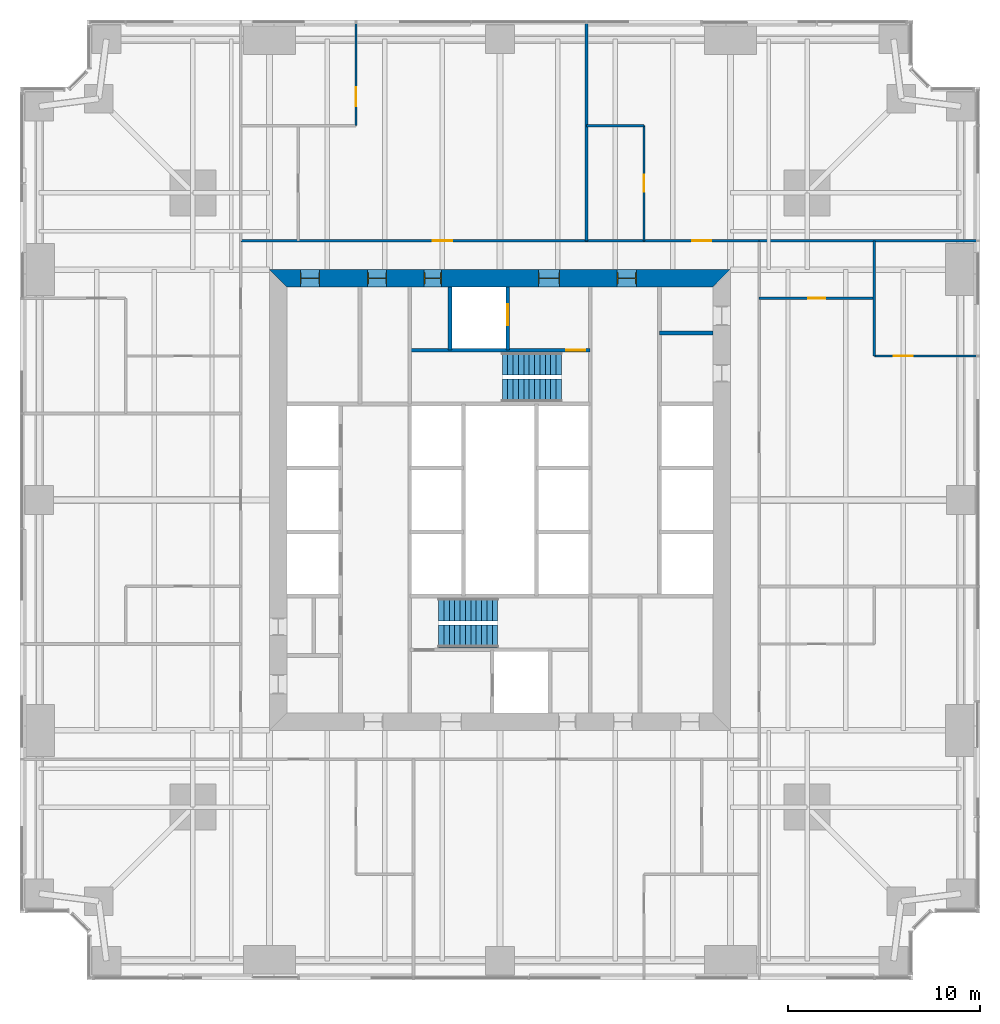
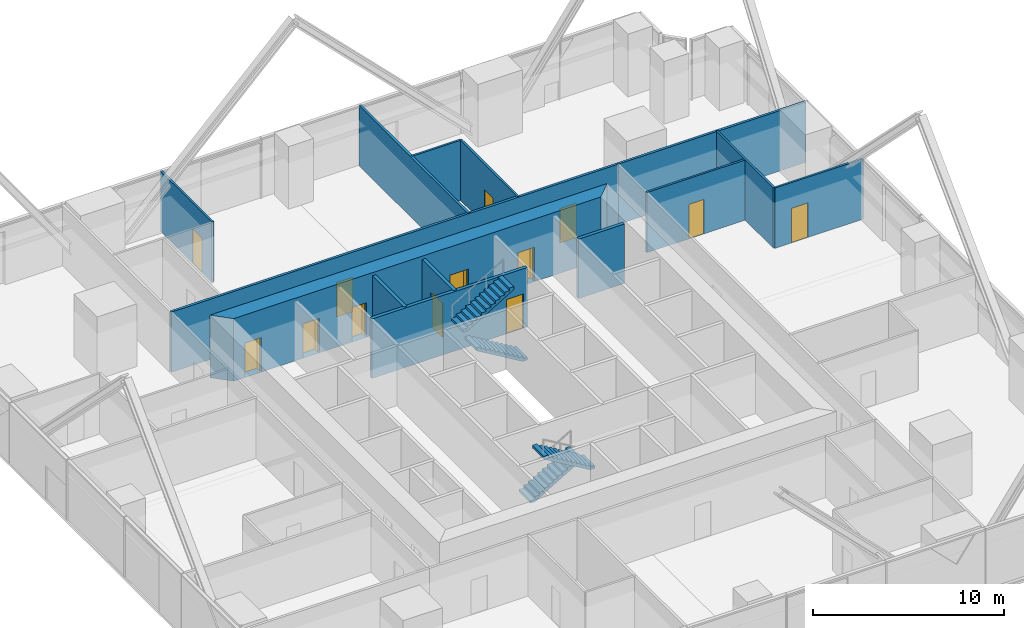
# One storey, part 11 of 13: 14 walls, 13 doors, 4 stair flights, 13 openings, 2 elements without a shape of their own.
"""IFC4 building model written with IfcOpenShell, lengths in metres."""

from ifc_helpers import new_model, si_unit, direction, frame, frame_2d, origin, place, context, subcontext, project, spatial, polyline, rectangle, outline, extrude, material, layer, layer_set, type_object, element, fill, aggregate, save


model = new_model("IFC4")

# Units and contexts
model_context = context("Model", 3, precision=1e-05, world=origin(), true_north=direction((0.0, 1.0)))
body_context = subcontext(model_context, "Body", "Model", "MODEL_VIEW")
ifc_project = project(units=[si_unit("LENGTHUNIT", "METRE"), si_unit("AREAUNIT", "SQUARE_METRE"), si_unit("VOLUMEUNIT", "CUBIC_METRE"), si_unit("PLANEANGLEUNIT", "RADIAN"), si_unit("MASSUNIT", "GRAM", prefix="KILO")], contexts=[model_context])

# Site, building, storey
site_placement = place(None, origin())
site = spatial("IfcSite", under=ifc_project, at=site_placement, CompositionType="ELEMENT")
building_placement = place(site_placement, origin())
building = spatial("IfcBuilding", under=site, at=building_placement, Name="Fenwick Lantern Interchange", CompositionType="ELEMENT")
storey_placement = place(building_placement, frame((0.0, 0.0, 55.0)))
storey = spatial("IfcBuildingStorey", under=building, at=storey_placement, Name="L12", CompositionType="ELEMENT", Elevation=55.0)

# Wall, opening, door
ifc_material_1 = material(Name="Concrete masonry ASTM C90 Grade N", Category="masonry")
ifc_layer_1 = layer(ifc_material_1, 0.199951171875)
ifc_layer_set_1 = layer_set([ifc_layer_1], Name="Concrete masonry ASTM C90 Grade N")
wall_type_1 = type_object("IfcWallType", Name="CORE PARTITION 200", PredefinedType="PARTITIONING", material=ifc_layer_set_1)
wall_1_placement = place(storey_placement, frame((25.39990234375, 36.10009765625, 0.0), z_axis=(0.0, 0.0, 1.0), x_axis=(0.0, -1.0, 0.0)))
wall_1 = element("IfcWall", 1, at=wall_1_placement, inside=storey, type_object=wall_type_1, Name="L12/W/COREN/h1", PredefinedType="PARTITIONING", context=body_context, shape_type="SweptSolid", body=[
    extrude(rectangle(XDim=3.300048828125, YDim=0.199951171875, at=frame_2d((1.64990234375, 0.0))), origin(), (0.0, 0.0, 1.0), 3.800048828125),
])
opening_1_placement = place(wall_1_placement, frame((0.89990234375, 0.0, 0.0)))
opening_1 = element("IfcOpeningElement", 2, at=opening_1_placement, cuts=wall_1, Name="Opening LD-FL2", PredefinedType="OPENING", context=body_context, shape_type="SweptSolid", body=[
    extrude(rectangle(XDim=1.10009765625, YDim=2.199951171875, at=frame_2d((0.550048828125, 1.10009765625))), frame((0.0, 0.10986328125, 0.0), z_axis=(0.0, -1.0, 0.0), x_axis=(1.0, 0.0, 0.0)), (0.0, 0.0, 1.0), 0.219970703125),
])
ifc_material_2 = material(Name="Steel door and frame", Category="steel")
door_type_1 = type_object("IfcDoorType", Name="LIFT LANDING DOOR 1100 X 2200", OperationType="DOUBLE_DOOR_SLIDING", PredefinedType="DOOR", material=ifc_material_2)
door_1_placement = place(opening_1_placement, origin())
door_1 = element("IfcDoor", 3, at=door_1_placement, inside=storey, type_object=door_type_1, Name="Lift landing door FL2", OperationType="DOUBLE_DOOR_SLIDING", OverallHeight=2.199951171875, OverallWidth=1.10009765625, PredefinedType="DOOR", context=body_context, shape_type="SweptSolid", body=[
    extrude(rectangle(XDim=1.10009765625, YDim=2.199951171875, at=frame_2d((0.550048828125, 1.10009765625))), frame((0.0, 0.02490234375, 0.0), z_axis=(0.0, -1.0, 0.0), x_axis=(1.0, 0.0, 0.0)), (0.0, 0.0, 1.0), 0.050048828125),
])
fill(opening_1, door_1)

# Walls
wall_2_placement = place(storey_placement, frame((22.39990234375, 36.10009765625, 0.0), z_axis=(0.0, 0.0, 1.0), x_axis=(0.0, -1.0, 0.0)))
element("IfcWall", 4, at=wall_2_placement, inside=storey, type_object=wall_type_1, Name="L12/W/COREN/h2", PredefinedType="PARTITIONING", context=body_context, shape_type="SweptSolid", body=[
    extrude(rectangle(XDim=3.300048828125, YDim=0.199951171875, at=frame_2d((1.64990234375, 0.0))), origin(), (0.0, 0.0, 1.0), 3.800048828125),
])
wall_3_placement = place(storey_placement, frame((36.10009765625, 33.699951171875, 0.0), z_axis=(0.0, 0.0, 1.0), x_axis=(-1.0, 0.0, 0.0)))
element("IfcWall", 5, at=wall_3_placement, inside=storey, type_object=wall_type_1, Name="L12/W/COREN/p1", PredefinedType="PARTITIONING", context=body_context, shape_type="SweptSolid", body=[
    extrude(rectangle(XDim=2.800048828125, YDim=0.199951171875, at=frame_2d((1.39990234375, 0.0))), origin(), (0.0, 0.0, 1.0), 3.800048828125),
])

# Wall, openings, doors
ifc_material_3 = material(Name="Concrete f'c 70 MPa", Category="concrete")
ifc_layer_2 = layer(ifc_material_3, 0.89990234375)
ifc_layer_set_2 = layer_set([ifc_layer_2], Name="CORE WALL 900")
wall_type_2 = type_object("IfcWallType", Name="CORE WALL 900", PredefinedType="SHEAR", material=ifc_layer_set_2)
wall_4_placement = place(storey_placement, frame((37.0, 36.550048828125, 0.0), z_axis=(0.0, 0.0, 1.0), x_axis=(-1.0, 0.0, 0.0)))
wall_4 = element("IfcWall", 6, at=wall_4_placement, inside=storey, type_object=wall_type_2, Name="L12/CORE/N", PredefinedType="SHEAR", context=body_context, shape_type="SweptSolid", body=[
    extrude(outline(polyline([(0.0, -0.449951171875), (24.0, -0.449951171875), (23.10009765625, 0.449951171875), (0.89990234375, 0.449951171875), (0.0, -0.449951171875)])), origin(), (0.0, 0.0, 1.0), 4.0),
])
opening_2_placement = place(wall_4_placement, frame((4.89990234375, 0.0, 0.0)))
opening_2 = element("IfcOpeningElement", 7, at=opening_2_placement, cuts=wall_4, Name="Opening L12-D010", PredefinedType="OPENING", context=body_context, shape_type="SweptSolid", body=[
    extrude(rectangle(XDim=1.0, YDim=2.199951171875, at=frame_2d((0.5, 1.10009765625))), frame((0.0, 0.4599609375, 0.0), z_axis=(0.0, -1.0, 0.0), x_axis=(1.0, 0.0, 0.0)), (0.0, 0.0, 1.0), 0.919921875),
])
opening_3_placement = place(wall_4_placement, frame((8.89990234375, 0.0, 0.0)))
opening_3 = element("IfcOpeningElement", 8, at=opening_3_placement, cuts=wall_4, Name="Opening L12-D011", PredefinedType="OPENING", context=body_context, shape_type="SweptSolid", body=[
    extrude(rectangle(XDim=1.10009765625, YDim=2.199951171875, at=frame_2d((0.550048828125, 1.10009765625))), frame((0.0, 0.4599609375, 0.0), z_axis=(0.0, -1.0, 0.0), x_axis=(1.0, 0.0, 0.0)), (0.0, 0.0, 1.0), 0.919921875),
])
opening_4_placement = place(wall_4_placement, frame((15.050048828125, 0.0, 0.0)))
opening_4 = element("IfcOpeningElement", 9, at=opening_4_placement, cuts=wall_4, Name="Opening L12-D013", PredefinedType="OPENING", context=body_context, shape_type="SweptSolid", body=[
    extrude(rectangle(XDim=0.89990234375, YDim=2.199951171875, at=frame_2d((0.449951171875, 1.10009765625))), frame((0.0, 0.4599609375, 0.0), z_axis=(0.0, -1.0, 0.0), x_axis=(1.0, 0.0, 0.0)), (0.0, 0.0, 1.0), 0.919921875),
])
opening_5_placement = place(wall_4_placement, frame((17.89990234375, 0.0, 0.0)))
opening_5 = element("IfcOpeningElement", 10, at=opening_5_placement, cuts=wall_4, Name="Opening L12-D014", PredefinedType="OPENING", context=body_context, shape_type="SweptSolid", body=[
    extrude(rectangle(XDim=1.0, YDim=2.199951171875, at=frame_2d((0.5, 1.10009765625))), frame((0.0, 0.4599609375, 0.0), z_axis=(0.0, -1.0, 0.0), x_axis=(1.0, 0.0, 0.0)), (0.0, 0.0, 1.0), 0.919921875),
])
opening_6_placement = place(wall_4_placement, frame((21.39990234375, 0.0, 0.0)))
opening_6 = element("IfcOpeningElement", 11, at=opening_6_placement, cuts=wall_4, Name="Opening L12-D015", PredefinedType="OPENING", context=body_context, shape_type="SweptSolid", body=[
    extrude(rectangle(XDim=1.0, YDim=2.199951171875, at=frame_2d((0.5, 1.10009765625))), frame((0.0, 0.4599609375, 0.0), z_axis=(0.0, -1.0, 0.0), x_axis=(1.0, 0.0, 0.0)), (0.0, 0.0, 1.0), 0.919921875),
])
door_type_2 = type_object("IfcDoorType", Name="CORE LOBBY DOOR 1000 X 2200", OperationType="SINGLE_SWING_LEFT", PredefinedType="DOOR", material=ifc_material_2)
door_2_placement = place(opening_2_placement, origin())
door_2 = element("IfcDoor", 12, at=door_2_placement, inside=storey, type_object=door_type_2, Name="Core lobby door", OperationType="SINGLE_SWING_LEFT", OverallHeight=2.199951171875, OverallWidth=1.0, PredefinedType="DOOR", context=body_context, shape_type="SweptSolid", body=[
    extrude(rectangle(XDim=1.0, YDim=2.199951171875, at=frame_2d((0.5, 1.10009765625))), frame((0.0, 0.02490234375, 0.0), z_axis=(0.0, -1.0, 0.0), x_axis=(1.0, 0.0, 0.0)), (0.0, 0.0, 1.0), 0.050048828125),
    extrude(outline(polyline([(0.0, 0.0), (0.0400390625, 0.0), (0.0400390625, 2.159912109375), (0.9599609375, 2.159912109375), (0.9599609375, 0.0), (1.0, 0.0), (1.0, 2.199951171875), (0.0, 2.199951171875), (0.0, 0.0)])), frame((0.0, 0.300048828125, 0.0), z_axis=(0.0, -1.0, 0.0), x_axis=(1.0, 0.0, 0.0)), (0.0, 0.0, 1.0), 0.60009765625),
])
fill(opening_2, door_2)
door_type_3 = type_object("IfcDoorType", Name="FIRE LOBBY DOOR 1100 X 2200", OperationType="SINGLE_SWING_LEFT", PredefinedType="DOOR", material=ifc_material_2)
door_3_placement = place(opening_3_placement, origin())
door_3 = element("IfcDoor", 13, at=door_3_placement, inside=storey, type_object=door_type_3, Name="Fire lobby door", OperationType="SINGLE_SWING_LEFT", OverallHeight=2.199951171875, OverallWidth=1.10009765625, PredefinedType="DOOR", context=body_context, shape_type="SweptSolid", body=[
    extrude(rectangle(XDim=1.10009765625, YDim=2.199951171875, at=frame_2d((0.550048828125, 1.10009765625))), frame((0.0, 0.02490234375, 0.0), z_axis=(0.0, -1.0, 0.0), x_axis=(1.0, 0.0, 0.0)), (0.0, 0.0, 1.0), 0.050048828125),
    extrude(outline(polyline([(0.0, 0.0), (0.0400390625, 0.0), (0.0400390625, 2.159912109375), (1.06005859375, 2.159912109375), (1.06005859375, 0.0), (1.10009765625, 0.0), (1.10009765625, 2.199951171875), (0.0, 2.199951171875), (0.0, 0.0)])), frame((0.0, 0.300048828125, 0.0), z_axis=(0.0, -1.0, 0.0), x_axis=(1.0, 0.0, 0.0)), (0.0, 0.0, 1.0), 0.60009765625),
])
fill(opening_3, door_3)
door_type_4 = type_object("IfcDoorType", Name="SERVICE DOOR 900 X 2200", OperationType="SINGLE_SWING_LEFT", PredefinedType="DOOR", material=ifc_material_2)
door_4_placement = place(opening_4_placement, origin())
door_4 = element("IfcDoor", 14, at=door_4_placement, inside=storey, type_object=door_type_4, Name="Service door", OperationType="SINGLE_SWING_LEFT", OverallHeight=2.199951171875, OverallWidth=0.89990234375, PredefinedType="DOOR", context=body_context, shape_type="SweptSolid", body=[
    extrude(rectangle(XDim=0.89990234375, YDim=2.199951171875, at=frame_2d((0.449951171875, 1.10009765625))), frame((0.0, 0.02490234375, 0.0), z_axis=(0.0, -1.0, 0.0), x_axis=(1.0, 0.0, 0.0)), (0.0, 0.0, 1.0), 0.050048828125),
    extrude(outline(polyline([(0.0, 0.0), (0.0400390625, 0.0), (0.0400390625, 2.159912109375), (0.85986328125, 2.159912109375), (0.85986328125, 0.0), (0.89990234375, 0.0), (0.89990234375, 2.199951171875), (0.0, 2.199951171875), (0.0, 0.0)])), frame((0.0, 0.300048828125, 0.0), z_axis=(0.0, -1.0, 0.0), x_axis=(1.0, 0.0, 0.0)), (0.0, 0.0, 1.0), 0.60009765625),
])
fill(opening_4, door_4)
ifc_material_4 = material(Name="Hardwood door and steel frame", Category="steel")
door_type_5 = type_object("IfcDoorType", Name="WC DOOR 1000 X 2200", OperationType="SINGLE_SWING_LEFT", PredefinedType="DOOR", material=ifc_material_4)
door_5_placement = place(opening_5_placement, origin())
door_5 = element("IfcDoor", 15, at=door_5_placement, inside=storey, type_object=door_type_5, Name="Wc door", OperationType="SINGLE_SWING_RIGHT", OverallHeight=2.199951171875, OverallWidth=1.0, PredefinedType="DOOR", context=body_context, shape_type="SweptSolid", body=[
    extrude(rectangle(XDim=1.0, YDim=2.199951171875, at=frame_2d((0.5, 1.10009765625))), frame((0.0, 0.02490234375, 0.0), z_axis=(0.0, -1.0, 0.0), x_axis=(1.0, 0.0, 0.0)), (0.0, 0.0, 1.0), 0.050048828125),
    extrude(outline(polyline([(0.0, 0.0), (0.0400390625, 0.0), (0.0400390625, 2.159912109375), (0.9599609375, 2.159912109375), (0.9599609375, 0.0), (1.0, 0.0), (1.0, 2.199951171875), (0.0, 2.199951171875), (0.0, 0.0)])), frame((0.0, 0.300048828125, 0.0), z_axis=(0.0, -1.0, 0.0), x_axis=(1.0, 0.0, 0.0)), (0.0, 0.0, 1.0), 0.60009765625),
])
fill(opening_5, door_5)
door_6_placement = place(opening_6_placement, origin())
door_6 = element("IfcDoor", 16, at=door_6_placement, inside=storey, type_object=door_type_5, Name="Wc door", OperationType="SINGLE_SWING_RIGHT", OverallHeight=2.199951171875, OverallWidth=1.0, PredefinedType="DOOR", context=body_context, shape_type="SweptSolid", body=[
    extrude(rectangle(XDim=1.0, YDim=2.199951171875, at=frame_2d((0.5, 1.10009765625))), frame((0.0, 0.02490234375, 0.0), z_axis=(0.0, -1.0, 0.0), x_axis=(1.0, 0.0, 0.0)), (0.0, 0.0, 1.0), 0.050048828125),
    extrude(outline(polyline([(0.0, 0.0), (0.0400390625, 0.0), (0.0400390625, 2.159912109375), (0.9599609375, 2.159912109375), (0.9599609375, 0.0), (1.0, 0.0), (1.0, 2.199951171875), (0.0, 2.199951171875), (0.0, 0.0)])), frame((0.0, 0.300048828125, 0.0), z_axis=(0.0, -1.0, 0.0), x_axis=(1.0, 0.0, 0.0)), (0.0, 0.0, 1.0), 0.60009765625),
])
fill(opening_6, door_6)

ifc_material_5 = material(Name="Gypsum board on steel studs, 1 hour", Category="steel")
ifc_layer_3 = layer(ifc_material_5, 0.14990234375)
ifc_layer_set_3 = layer_set([ifc_layer_3], Name="CORRIDOR WALL 150")
wall_type_3 = type_object("IfcWallType", Name="CORRIDOR WALL 150", PredefinedType="PARTITIONING", material=ifc_layer_set_3)
wall_5_placement = place(storey_placement, frame((38.5, 38.5, 0.0), z_axis=(0.0, 0.0, 1.0), x_axis=(-1.0, 0.0, 0.0)))
wall_5 = element("IfcWall", 17, at=wall_5_placement, inside=storey, type_object=wall_type_3, Name="L12/W/OFF/N/CW", PredefinedType="PARTITIONING", context=body_context, shape_type="SweptSolid", body=[
    extrude(rectangle(XDim=27.0, YDim=0.14990234375, at=frame_2d((13.5, 0.0))), origin(), (0.0, 0.0, 1.0), 3.85009765625),
])
opening_7_placement = place(wall_5_placement, frame((2.5, 0.0, 0.0)))
opening_7 = element("IfcOpeningElement", 18, at=opening_7_placement, cuts=wall_5, Name="Opening L12-D028", PredefinedType="OPENING", context=body_context, shape_type="SweptSolid", body=[
    extrude(rectangle(XDim=1.0, YDim=2.199951171875, at=frame_2d((0.5, 1.10009765625))), frame((0.0, 0.0849609375, 0.0), z_axis=(0.0, -1.0, 0.0), x_axis=(1.0, 0.0, 0.0)), (0.0, 0.0, 1.0), 0.169921875),
])
opening_8_placement = place(wall_5_placement, frame((16.0, 0.0, 0.0)))
opening_8 = element("IfcOpeningElement", 19, at=opening_8_placement, cuts=wall_5, Name="Opening L12-D030", PredefinedType="OPENING", context=body_context, shape_type="SweptSolid", body=[
    extrude(rectangle(XDim=1.0, YDim=2.199951171875, at=frame_2d((0.5, 1.10009765625))), frame((0.0, 0.0849609375, 0.0), z_axis=(0.0, -1.0, 0.0), x_axis=(1.0, 0.0, 0.0)), (0.0, 0.0, 1.0), 0.169921875),
])
door_type_6 = type_object("IfcDoorType", Name="SUITE ENTRANCE DOOR 1000 X 2200", OperationType="SINGLE_SWING_LEFT", PredefinedType="DOOR", material=ifc_material_2)
door_7_placement = place(opening_7_placement, frame((1.0, 0.0, 0.0), z_axis=(0.0, 0.0, 1.0), x_axis=(-1.0, 0.0, 0.0)))
door_7 = element("IfcDoor", 20, at=door_7_placement, inside=storey, type_object=door_type_6, Name="Suite entrance door", OperationType="SINGLE_SWING_LEFT", OverallHeight=2.199951171875, OverallWidth=1.0, PredefinedType="DOOR", context=body_context, shape_type="SweptSolid", body=[
    extrude(rectangle(XDim=1.0, YDim=2.199951171875, at=frame_2d((0.5, 1.10009765625))), frame((0.0, 0.02490234375, 0.0), z_axis=(0.0, -1.0, 0.0), x_axis=(1.0, 0.0, 0.0)), (0.0, 0.0, 1.0), 0.050048828125),
])
fill(opening_7, door_7)
door_8_placement = place(opening_8_placement, frame((1.0, 0.0, 0.0), z_axis=(0.0, 0.0, 1.0), x_axis=(-1.0, 0.0, 0.0)))
door_8 = element("IfcDoor", 21, at=door_8_placement, inside=storey, type_object=door_type_6, Name="Suite entrance door", OperationType="SINGLE_SWING_RIGHT", OverallHeight=2.199951171875, OverallWidth=1.0, PredefinedType="DOOR", context=body_context, shape_type="SweptSolid", body=[
    extrude(rectangle(XDim=1.0, YDim=2.199951171875, at=frame_2d((0.5, 1.10009765625))), frame((0.0, 0.02490234375, 0.0), z_axis=(0.0, -1.0, 0.0), x_axis=(1.0, 0.0, 0.0)), (0.0, 0.0, 1.0), 0.050048828125),
])
fill(opening_8, door_8)

# Wall, opening, door
ifc_material_6 = material(Name="Gypsum board on steel studs, acoustic", Category="steel")
ifc_layer_4 = layer(ifc_material_6, 0.125)
ifc_layer_set_4 = layer_set([ifc_layer_4], Name="OFFICE PARTITION 125")
wall_type_4 = type_object("IfcWallType", Name="OFFICE PARTITION 125", PredefinedType="PARTITIONING", material=ifc_layer_set_4)
wall_6_placement = place(storey_placement, frame((49.85009765625, 32.5, 0.0), z_axis=(0.0, 0.0, 1.0), x_axis=(-1.0, 0.0, 0.0)))
wall_6 = element("IfcWall", 22, at=wall_6_placement, inside=storey, type_object=wall_type_4, Name="L12/W/OFF/E/X325-1", PredefinedType="PARTITIONING", context=body_context, shape_type="SweptSolid", body=[
    extrude(rectangle(XDim=5.35009765625, YDim=0.125, at=frame_2d((2.675048828125, 0.0))), origin(), (0.0, 0.0, 1.0), 3.85009765625),
])
opening_9_placement = place(wall_6_placement, frame((3.35009765625, 0.0, 0.0)))
opening_9 = element("IfcOpeningElement", 23, at=opening_9_placement, cuts=wall_6, Name="Opening L12-D026", PredefinedType="OPENING", context=body_context, shape_type="SweptSolid", body=[
    extrude(rectangle(XDim=1.0, YDim=2.199951171875, at=frame_2d((0.5, 1.10009765625))), frame((0.0, 0.072509765625, 0.0), z_axis=(0.0, -1.0, 0.0), x_axis=(1.0, 0.0, 0.0)), (0.0, 0.0, 1.0), 0.14501953125),
])
door_type_7 = type_object("IfcDoorType", Name="MEETING ROOM DOOR 1000 X 2200", OperationType="SINGLE_SWING_LEFT", PredefinedType="DOOR", material=ifc_material_4)
door_9_placement = place(opening_9_placement, frame((1.0, 0.0, 0.0), z_axis=(0.0, 0.0, 1.0), x_axis=(-1.0, 0.0, 0.0)))
door_9 = element("IfcDoor", 24, at=door_9_placement, inside=storey, type_object=door_type_7, Name="Meeting room door", OperationType="SINGLE_SWING_LEFT", OverallHeight=2.199951171875, OverallWidth=1.0, PredefinedType="DOOR", context=body_context, shape_type="SweptSolid", body=[
    extrude(rectangle(XDim=1.0, YDim=2.199951171875, at=frame_2d((0.5, 1.10009765625))), frame((0.0, 0.02490234375, 0.0), z_axis=(0.0, -1.0, 0.0), x_axis=(1.0, 0.0, 0.0)), (0.0, 0.0, 1.0), 0.050048828125),
])
fill(opening_9, door_9)

wall_7_placement = place(storey_placement, frame((44.5, 35.5, 0.0), z_axis=(0.0, 0.0, 1.0), x_axis=(-1.0, 0.0, 0.0)))
wall_7 = element("IfcWall", 25, at=wall_7_placement, inside=storey, type_object=wall_type_4, Name="L12/W/OFF/E/X355-1", PredefinedType="PARTITIONING", context=body_context, shape_type="SweptSolid", body=[
    extrude(rectangle(XDim=6.0, YDim=0.125, at=frame_2d((3.0, 0.0))), origin(), (0.0, 0.0, 1.0), 3.85009765625),
])
opening_10_placement = place(wall_7_placement, frame((2.550048828125, 0.0, 0.0)))
opening_10 = element("IfcOpeningElement", 26, at=opening_10_placement, cuts=wall_7, Name="Opening L12-D027", PredefinedType="OPENING", context=body_context, shape_type="SweptSolid", body=[
    extrude(rectangle(XDim=0.89990234375, YDim=2.199951171875, at=frame_2d((0.449951171875, 1.10009765625))), frame((0.0, 0.072509765625, 0.0), z_axis=(0.0, -1.0, 0.0), x_axis=(1.0, 0.0, 0.0)), (0.0, 0.0, 1.0), 0.14501953125),
])
door_type_8 = type_object("IfcDoorType", Name="OFFICE DOOR 900 X 2200", OperationType="SINGLE_SWING_LEFT", PredefinedType="DOOR", material=ifc_material_4)
door_10_placement = place(opening_10_placement, frame((0.89990234375, 0.0, 0.0), z_axis=(0.0, 0.0, 1.0), x_axis=(-1.0, 0.0, 0.0)))
door_10 = element("IfcDoor", 27, at=door_10_placement, inside=storey, type_object=door_type_8, Name="Office door", OperationType="SINGLE_SWING_RIGHT", OverallHeight=2.199951171875, OverallWidth=0.89990234375, PredefinedType="DOOR", context=body_context, shape_type="SweptSolid", body=[
    extrude(rectangle(XDim=0.89990234375, YDim=2.199951171875, at=frame_2d((0.449951171875, 1.10009765625))), frame((0.0, 0.02490234375, 0.0), z_axis=(0.0, -1.0, 0.0), x_axis=(1.0, 0.0, 0.0)), (0.0, 0.0, 1.0), 0.050048828125),
])
fill(opening_10, door_10)

# Wall
wall_8_placement = place(storey_placement, frame((44.5, 32.5, 0.0), z_axis=(0.0, 0.0, 1.0), x_axis=(0.0, 1.0, 0.0)))
element("IfcWall", 28, at=wall_8_placement, inside=storey, type_object=wall_type_4, Name="L12/W/OFF/E/Y55-2", PredefinedType="PARTITIONING", context=body_context, shape_type="SweptSolid", body=[
    extrude(rectangle(XDim=6.0, YDim=0.125, at=frame_2d((3.0, 0.0))), origin(), (0.0, 0.0, 1.0), 3.85009765625),
])

# Wall, opening, door
wall_9_placement = place(storey_placement, frame((32.5, 44.5, 0.0), z_axis=(0.0, 0.0, 1.0), x_axis=(0.0, -1.0, 0.0)))
wall_9 = element("IfcWall", 29, at=wall_9_placement, inside=storey, type_object=wall_type_4, Name="L12/W/OFF/N/X175-1", PredefinedType="PARTITIONING", context=body_context, shape_type="SweptSolid", body=[
    extrude(rectangle(XDim=6.0, YDim=0.125, at=frame_2d((3.0, 0.0))), origin(), (0.0, 0.0, 1.0), 3.85009765625),
])
opening_11_placement = place(wall_9_placement, frame((2.550048828125, 0.0, 0.0)))
opening_11 = element("IfcOpeningElement", 30, at=opening_11_placement, cuts=wall_9, Name="Opening L12-D029", PredefinedType="OPENING", context=body_context, shape_type="SweptSolid", body=[
    extrude(rectangle(XDim=0.89990234375, YDim=2.199951171875, at=frame_2d((0.449951171875, 1.10009765625))), frame((0.0, 0.072509765625, 0.0), z_axis=(0.0, -1.0, 0.0), x_axis=(1.0, 0.0, 0.0)), (0.0, 0.0, 1.0), 0.14501953125),
])
door_11_placement = place(opening_11_placement, frame((0.89990234375, 0.0, 0.0), z_axis=(0.0, 0.0, 1.0), x_axis=(-1.0, 0.0, 0.0)))
door_11 = element("IfcDoor", 31, at=door_11_placement, inside=storey, type_object=door_type_8, Name="Office door", OperationType="SINGLE_SWING_RIGHT", OverallHeight=2.199951171875, OverallWidth=0.89990234375, PredefinedType="DOOR", context=body_context, shape_type="SweptSolid", body=[
    extrude(rectangle(XDim=0.89990234375, YDim=2.199951171875, at=frame_2d((0.449951171875, 1.10009765625))), frame((0.0, 0.02490234375, 0.0), z_axis=(0.0, -1.0, 0.0), x_axis=(1.0, 0.0, 0.0)), (0.0, 0.0, 1.0), 0.050048828125),
])
fill(opening_11, door_11)

wall_10_placement = place(storey_placement, frame((17.5, 49.85009765625, 0.0), z_axis=(0.0, 0.0, 1.0), x_axis=(0.0, -1.0, 0.0)))
wall_10 = element("IfcWall", 32, at=wall_10_placement, inside=storey, type_object=wall_type_4, Name="L12/W/OFF/N/X325-1", PredefinedType="PARTITIONING", context=body_context, shape_type="SweptSolid", body=[
    extrude(rectangle(XDim=5.35009765625, YDim=0.125, at=frame_2d((2.675048828125, 0.0))), origin(), (0.0, 0.0, 1.0), 3.85009765625),
])
opening_12_placement = place(wall_10_placement, frame((3.35009765625, 0.0, 0.0)))
opening_12 = element("IfcOpeningElement", 33, at=opening_12_placement, cuts=wall_10, Name="Opening L12-D031", PredefinedType="OPENING", context=body_context, shape_type="SweptSolid", body=[
    extrude(rectangle(XDim=1.0, YDim=2.199951171875, at=frame_2d((0.5, 1.10009765625))), frame((0.0, 0.072509765625, 0.0), z_axis=(0.0, -1.0, 0.0), x_axis=(1.0, 0.0, 0.0)), (0.0, 0.0, 1.0), 0.14501953125),
])
door_12_placement = place(opening_12_placement, frame((1.0, 0.0, 0.0), z_axis=(0.0, 0.0, 1.0), x_axis=(-1.0, 0.0, 0.0)))
door_12 = element("IfcDoor", 34, at=door_12_placement, inside=storey, type_object=door_type_7, Name="Meeting room door", OperationType="SINGLE_SWING_LEFT", OverallHeight=2.199951171875, OverallWidth=1.0, PredefinedType="DOOR", context=body_context, shape_type="SweptSolid", body=[
    extrude(rectangle(XDim=1.0, YDim=2.199951171875, at=frame_2d((0.5, 1.10009765625))), frame((0.0, 0.02490234375, 0.0), z_axis=(0.0, -1.0, 0.0), x_axis=(1.0, 0.0, 0.0)), (0.0, 0.0, 1.0), 0.050048828125),
])
fill(opening_12, door_12)

# Wall
wall_11_placement = place(storey_placement, frame((32.5, 44.5, 0.0), z_axis=(0.0, 0.0, 1.0), x_axis=(-1.0, 0.0, 0.0)))
element("IfcWall", 35, at=wall_11_placement, inside=storey, type_object=wall_type_4, Name="L12/W/OFF/N/Y55-1", PredefinedType="PARTITIONING", context=body_context, shape_type="SweptSolid", body=[
    extrude(rectangle(XDim=3.0, YDim=0.125, at=frame_2d((1.5, 0.0))), origin(), (0.0, 0.0, 1.0), 3.85009765625),
])

# Wall, opening, door
ifc_material_7 = material(Name="Concrete f'c 45 MPa", Category="concrete")
ifc_layer_5 = layer(ifc_material_7, 0.199951171875)
ifc_layer_set_5 = layer_set([ifc_layer_5], Name="STAIR CORE WALL 200")
wall_type_5 = type_object("IfcWallType", Name="STAIR CORE WALL 200", PredefinedType="SOLIDWALL", material=ifc_layer_set_5)
wall_12_placement = place(storey_placement, frame((29.699951171875, 32.800048828125, 0.0), z_axis=(0.0, 0.0, 1.0), x_axis=(-1.0, 0.0, 0.0)))
wall_12 = element("IfcWall", 36, at=wall_12_placement, inside=storey, type_object=wall_type_5, Name="L12/W/COREN/g1", PredefinedType="SOLIDWALL", context=body_context, shape_type="SweptSolid", body=[
    extrude(rectangle(XDim=9.39990234375, YDim=0.199951171875, at=frame_2d((4.699951171875, 0.0))), origin(), (0.0, 0.0, 1.0), 3.800048828125),
])
opening_13_placement = place(wall_12_placement, frame((0.25, 0.0, 0.0)))
opening_13 = element("IfcOpeningElement", 37, at=opening_13_placement, cuts=wall_12, Name="Opening L12-D012", PredefinedType="OPENING", context=body_context, shape_type="SweptSolid", body=[
    extrude(rectangle(XDim=1.0, YDim=2.199951171875, at=frame_2d((0.5, 1.10009765625))), frame((0.0, 0.10986328125, 0.0), z_axis=(0.0, -1.0, 0.0), x_axis=(1.0, 0.0, 0.0)), (0.0, 0.0, 1.0), 0.219970703125),
])
door_type_9 = type_object("IfcDoorType", Name="STAIR DOOR 1000 X 2200", OperationType="SINGLE_SWING_LEFT", PredefinedType="DOOR", material=ifc_material_2)
door_13_placement = place(opening_13_placement, origin())
door_13 = element("IfcDoor", 38, at=door_13_placement, inside=storey, type_object=door_type_9, Name="Stair door", OperationType="SINGLE_SWING_LEFT", OverallHeight=2.199951171875, OverallWidth=1.0, PredefinedType="DOOR", context=body_context, shape_type="SweptSolid", body=[
    extrude(rectangle(XDim=1.0, YDim=2.199951171875, at=frame_2d((0.5, 1.10009765625))), frame((0.0, 0.02490234375, 0.0), z_axis=(0.0, -1.0, 0.0), x_axis=(1.0, 0.0, 0.0)), (0.0, 0.0, 1.0), 0.050048828125),
])
fill(opening_13, door_13)

# Walls
ifc_material_8 = material(Name="Gypsum board on steel studs, 1 hour acoustic", Category="steel")
ifc_layer_6 = layer(ifc_material_8, 0.14990234375)
ifc_layer_set_6 = layer_set([ifc_layer_6], Name="TENANT WALL 150")
wall_type_6 = type_object("IfcWallType", Name="TENANT WALL 150", PredefinedType="PARTITIONING", material=ifc_layer_set_6)
for number, where, z_axis, x_axis, name in (
    (39, (49.85009765625, 38.5, 0.0), (0.0, 0.0, 1.0), (-1.0, 0.0, 0.0), "L12/W/OFF/N/BACK"),
    (40, (29.5, 49.85009765625, 0.0), (0.0, 0.0, 1.0), (0.0, -1.0, 0.0), "L12/W/OFF/N/X205-1"),
):
    element("IfcWall", number, at=place(storey_placement, frame(where, z_axis=z_axis, x_axis=x_axis)), inside=storey, type_object=wall_type_6, Name=name, PredefinedType="PARTITIONING", context=body_context, shape_type="SweptSolid", body=[
        extrude(rectangle(XDim=11.35009765625, YDim=0.14990234375, at=frame_2d((5.675048828125, 0.0))), origin(), (0.0, 0.0, 1.0), 3.85009765625),
    ])

# Stair, stair flights
ifc_material_9 = material(Name="Precast concrete f'c 35 MPa", Category="concrete")
stair_type = type_object("IfcStairType", Name="EXIT STAIR 1200", PredefinedType="HALF_TURN_STAIR", material=ifc_material_9)
stair_1_placement = place(storey_placement, origin())
stair_1 = element("IfcStair", 41, at=stair_1_placement, inside=storey, type_object=stair_type, Name="Exit stair ST1", PredefinedType="HALF_TURN_STAIR")
stair_flight_type = type_object("IfcStairFlightType", Name="STAIR FLIGHT 1200", PredefinedType="STRAIGHT", material=ifc_material_9)
stair_flight_1_placement = place(storey_placement, frame((21.800048828125, 19.300048828125, 0.0), z_axis=(0.0, 0.0, 1.0), x_axis=(1.0, 0.0, 0.0)))
stair_flight_1 = element("IfcStairFlight", 42, at=stair_flight_1_placement, type_object=stair_flight_type, Name="ST1 flight 1", NumberOfRisers=12, NumberOfTreads=11, PredefinedType="STRAIGHT", RiserHeight=0.166666667, TreadLength=0.28, context=body_context, shape_type="SweptSolid", body=[
    extrude(outline(polyline([(0.0, 0.0), (0.0, 0.166748046875), (0.280029296875, 0.166748046875), (0.280029296875, 0.333251953125), (0.56005859375, 0.333251953125), (0.56005859375, 0.5), (0.840087890625, 0.5), (0.840087890625, 0.666748046875), (1.1201171875, 0.666748046875), (1.1201171875, 0.833251953125), (1.39990234375, 0.833251953125), (1.39990234375, 1.0), (1.679931640625, 1.0), (1.679931640625, 1.166748046875), (1.9599609375, 1.166748046875), (1.9599609375, 1.333251953125), (2.239990234375, 1.333251953125), (2.239990234375, 1.5), (2.52001953125, 1.5), (2.52001953125, 1.666748046875), (2.800048828125, 1.666748046875), (2.800048828125, 1.833251953125), (3.080078125, 1.833251953125), (3.080078125, 2.0), (3.080078125, 1.658935546875), (0.29296875, 0.0), (0.0, 0.0)])), frame((0.0, 0.60009765625, 0.0), z_axis=(0.0, -1.0, 0.0), x_axis=(1.0, 0.0, 0.0)), (0.0, 0.0, 1.0), 1.199951171875),
])
stair_flight_2_placement = place(storey_placement, frame((24.8798828125, 17.89990234375, 2.0), z_axis=(0.0, 0.0, 1.0), x_axis=(-1.0, 0.0, 0.0)))
stair_flight_2 = element("IfcStairFlight", 43, at=stair_flight_2_placement, type_object=stair_flight_type, Name="ST1 flight 2", NumberOfRisers=12, NumberOfTreads=11, PredefinedType="STRAIGHT", RiserHeight=0.166666667, TreadLength=0.28, context=body_context, shape_type="SweptSolid", body=[
    extrude(outline(polyline([(0.0, 0.0), (0.0, 0.166748046875), (0.280029296875, 0.166748046875), (0.280029296875, 0.333251953125), (0.56005859375, 0.333251953125), (0.56005859375, 0.5), (0.840087890625, 0.5), (0.840087890625, 0.666748046875), (1.1201171875, 0.666748046875), (1.1201171875, 0.833251953125), (1.39990234375, 0.833251953125), (1.39990234375, 1.0), (1.679931640625, 1.0), (1.679931640625, 1.166748046875), (1.9599609375, 1.166748046875), (1.9599609375, 1.333251953125), (2.239990234375, 1.333251953125), (2.239990234375, 1.5), (2.52001953125, 1.5), (2.52001953125, 1.666748046875), (2.800048828125, 1.666748046875), (2.800048828125, 1.833251953125), (3.080078125, 1.833251953125), (3.080078125, 2.0), (3.080078125, 1.658935546875), (0.29296875, 0.0), (0.0, 0.0)])), frame((0.0, 0.60009765625, 0.0), z_axis=(0.0, -1.0, 0.0), x_axis=(1.0, 0.0, 0.0)), (0.0, 0.0, 1.0), 1.199951171875),
])
aggregate(stair_1, [stair_flight_1, stair_flight_2])

stair_2_placement = place(storey_placement, origin())
stair_2 = element("IfcStair", 44, at=stair_2_placement, inside=storey, type_object=stair_type, Name="Exit stair ST2", PredefinedType="HALF_TURN_STAIR")
stair_flight_3_placement = place(storey_placement, frame((28.199951171875, 30.699951171875, 0.0), z_axis=(0.0, 0.0, 1.0), x_axis=(-1.0, 0.0, 0.0)))
stair_flight_3 = element("IfcStairFlight", 45, at=stair_flight_3_placement, type_object=stair_flight_type, Name="ST2 flight 1", NumberOfRisers=12, NumberOfTreads=11, PredefinedType="STRAIGHT", RiserHeight=0.166666667, TreadLength=0.28, context=body_context, shape_type="SweptSolid", body=[
    extrude(outline(polyline([(0.0, 0.0), (0.0, 0.166748046875), (0.280029296875, 0.166748046875), (0.280029296875, 0.333251953125), (0.56005859375, 0.333251953125), (0.56005859375, 0.5), (0.840087890625, 0.5), (0.840087890625, 0.666748046875), (1.1201171875, 0.666748046875), (1.1201171875, 0.833251953125), (1.39990234375, 0.833251953125), (1.39990234375, 1.0), (1.679931640625, 1.0), (1.679931640625, 1.166748046875), (1.9599609375, 1.166748046875), (1.9599609375, 1.333251953125), (2.239990234375, 1.333251953125), (2.239990234375, 1.5), (2.52001953125, 1.5), (2.52001953125, 1.666748046875), (2.800048828125, 1.666748046875), (2.800048828125, 1.833251953125), (3.080078125, 1.833251953125), (3.080078125, 2.0), (3.080078125, 1.658935546875), (0.29296875, 0.0), (0.0, 0.0)])), frame((0.0, 0.60009765625, 0.0), z_axis=(0.0, -1.0, 0.0), x_axis=(1.0, 0.0, 0.0)), (0.0, 0.0, 1.0), 1.199951171875),
])
stair_flight_4_placement = place(storey_placement, frame((25.1201171875, 32.10009765625, 2.0), z_axis=(0.0, 0.0, 1.0), x_axis=(1.0, 0.0, 0.0)))
stair_flight_4 = element("IfcStairFlight", 46, at=stair_flight_4_placement, type_object=stair_flight_type, Name="ST2 flight 2", NumberOfRisers=12, NumberOfTreads=11, PredefinedType="STRAIGHT", RiserHeight=0.166666667, TreadLength=0.28, context=body_context, shape_type="SweptSolid", body=[
    extrude(outline(polyline([(0.0, 0.0), (0.0, 0.166748046875), (0.280029296875, 0.166748046875), (0.280029296875, 0.333251953125), (0.56005859375, 0.333251953125), (0.56005859375, 0.5), (0.840087890625, 0.5), (0.840087890625, 0.666748046875), (1.1201171875, 0.666748046875), (1.1201171875, 0.833251953125), (1.39990234375, 0.833251953125), (1.39990234375, 1.0), (1.679931640625, 1.0), (1.679931640625, 1.166748046875), (1.9599609375, 1.166748046875), (1.9599609375, 1.333251953125), (2.239990234375, 1.333251953125), (2.239990234375, 1.5), (2.52001953125, 1.5), (2.52001953125, 1.666748046875), (2.800048828125, 1.666748046875), (2.800048828125, 1.833251953125), (3.080078125, 1.833251953125), (3.080078125, 2.0), (3.080078125, 1.658935546875), (0.29296875, 0.0), (0.0, 0.0)])), frame((0.0, 0.60009765625, 0.0), z_axis=(0.0, -1.0, 0.0), x_axis=(1.0, 0.0, 0.0)), (0.0, 0.0, 1.0), 1.199951171875),
])
aggregate(stair_2, [stair_flight_3, stair_flight_4])

save(model, "model.ifc")
